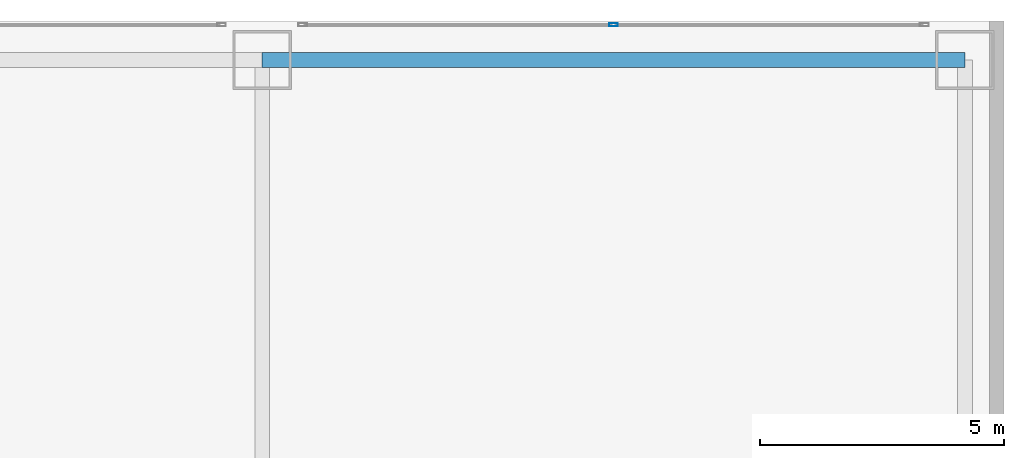
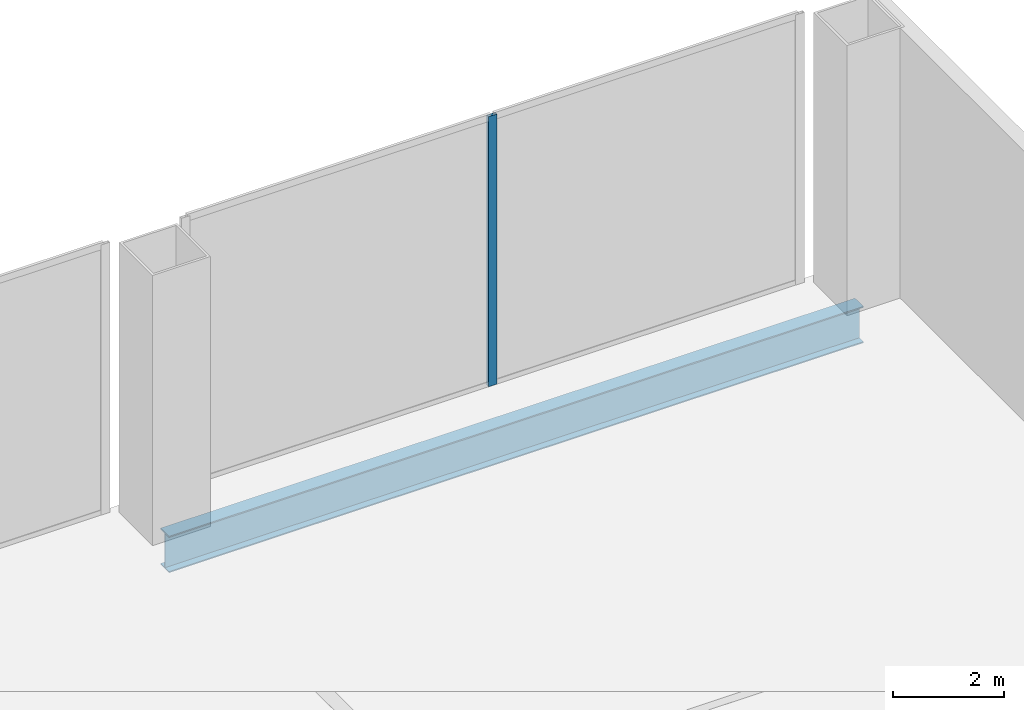
# One storey, part 29 of 41: 1 beam, 1 member, 1 element without a shape of its own.
"""IFC4 building model written with IfcOpenShell, lengths in metres."""

from ifc_helpers import new_model, si_unit, direction, frame, origin, origin_2d, place, context, subcontext, project, spatial, hollow_rectangle, i_section, extrude, source, transform, mapped, material, layer, layer_set, material_profile, profile_set, type_object, element, aggregate, save


model = new_model("IFC4")

# Units and contexts
model_context = context("Model", 3, precision=1e-05, world=origin(), true_north=direction((0.0, 1.0)))
body_context = subcontext(model_context, "Body", "Model", "MODEL_VIEW")
ifc_project = project(units=[si_unit("LENGTHUNIT", "METRE"), si_unit("AREAUNIT", "SQUARE_METRE"), si_unit("VOLUMEUNIT", "CUBIC_METRE"), si_unit("PLANEANGLEUNIT", "RADIAN"), si_unit("MASSUNIT", "GRAM", prefix="KILO"), si_unit("THERMODYNAMICTEMPERATUREUNIT", "KELVIN"), si_unit("POWERUNIT", "WATT")], contexts=[model_context])

# Site, building, storey
site_placement = place(None, origin())
site = spatial("IfcSite", under=ifc_project, at=site_placement, CompositionType="ELEMENT")
building_placement = place(site_placement, origin())
building = spatial("IfcBuilding", under=site, at=building_placement, Name="Yunzhuo Pagoda Commons", CompositionType="ELEMENT")
storey_placement = place(building_placement, frame((0.0, 0.0, 19.199951171875)))
storey = spatial("IfcBuildingStorey", under=building, at=storey_placement, Name="L05", CompositionType="ELEMENT", Elevation=19.199951171875)

# Beam
ifc_material_1 = material(Name="Structural steel Q355B", Category="steel")
ifc_material_profile_1 = material_profile(ifc_material_1, i_section(OverallWidth=0.300048828125, OverallDepth=0.800048828125, WebThickness=0.013916015625, FlangeThickness=0.02587890625, at=origin_2d()), Name="Structural steel Q355B")
ifc_profile_set_1 = profile_set([ifc_material_profile_1], Name="Structural steel Q355B")
beam_type = type_object("IfcBeamType", Name="B-PD2 Beam HN 800x300x14x26", PredefinedType="BEAM", material=ifc_profile_set_1)
shared_shape_1 = source(origin(), body_context, "Body", "SweptSolid", [
    extrude(i_section(OverallWidth=0.300048828125, OverallDepth=0.800048828125, WebThickness=0.013916015625, FlangeThickness=0.02587890625, at=origin_2d()), origin(), (0.0, 0.0, 1.0), 14.39990234375),
])
beam_placement = place(storey_placement, frame((76.800048828125, 81.199951171875, -0.6796875), z_axis=(1.0, 0.0, 0.0), x_axis=(0.0, 1.0, 0.0)))
element("IfcBeam", 1, at=beam_placement, inside=storey, type_object=beam_type, Name="L05 podium girder EW 5.5", PredefinedType="BEAM", context=body_context, shape_type="MappedRepresentation", body=[
    mapped(shared_shape_1, transform((0.0, 0.0, 0.0), scale=1.0)),
])

# Curtain wall, member
ifc_material_2 = material(Name="Anodized aluminium 6063-T6", Category="aluminium")
ifc_layer = layer(ifc_material_2, 0.179931640625)
ifc_layer_set = layer_set([ifc_layer], Name="Anodized aluminium 6063-T6")
curtain_wall_type = type_object("IfcCurtainWallType", Name="CW-POD Waterfront Podium Curtain Wall", PredefinedType="NOTDEFINED", material=ifc_layer_set)
curtain_wall_placement = place(storey_placement, origin())
curtain_wall = element("IfcCurtainWall", 2, at=curtain_wall_placement, inside=storey, type_object=curtain_wall_type, Name="L05 curtain wall CW-L05-N5", PredefinedType="NOTDEFINED")
ifc_material_profile_2 = material_profile(ifc_material_2, hollow_rectangle(XDim=0.06494140625, YDim=0.179931640625, WallThickness=0.00390625, at=origin_2d()), Name="Anodized aluminium 6063-T6")
ifc_profile_set_2 = profile_set([ifc_material_profile_2], Name="Anodized aluminium 6063-T6")
member_type = type_object("IfcMemberType", Name="CW-POD-M Mullion RHS 180x65x4", PredefinedType="MULLION", material=ifc_profile_set_2)
shared_shape_2 = source(origin(), body_context, "Body", "SweptSolid", [
    extrude(hollow_rectangle(XDim=0.06494140625, YDim=0.179931640625, WallThickness=0.00390625, at=origin_2d()), origin(), (0.0, 0.0, 1.0), 5.920166015625),
])
member_placement = place(storey_placement, frame((84.0, 81.919921875, 0.0), z_axis=(0.0, 0.0, 1.0), x_axis=(0.0, 1.0, 0.0)))
member = element("IfcMember", 3, at=member_placement, type_object=member_type, Name="CW mullion 2", PredefinedType="MULLION", context=body_context, shape_type="MappedRepresentation", body=[
    mapped(shared_shape_2, transform((0.0, 0.0, 0.0), scale=1.0)),
])
aggregate(curtain_wall, [member])

save(model, "model.ifc")
